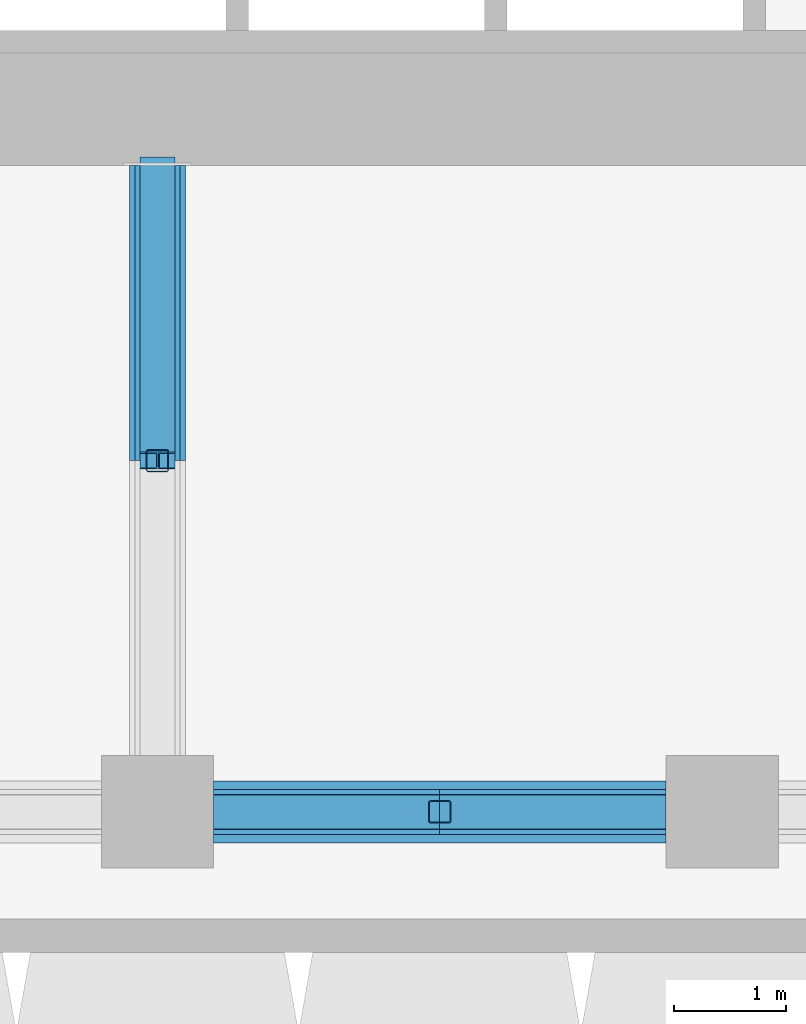
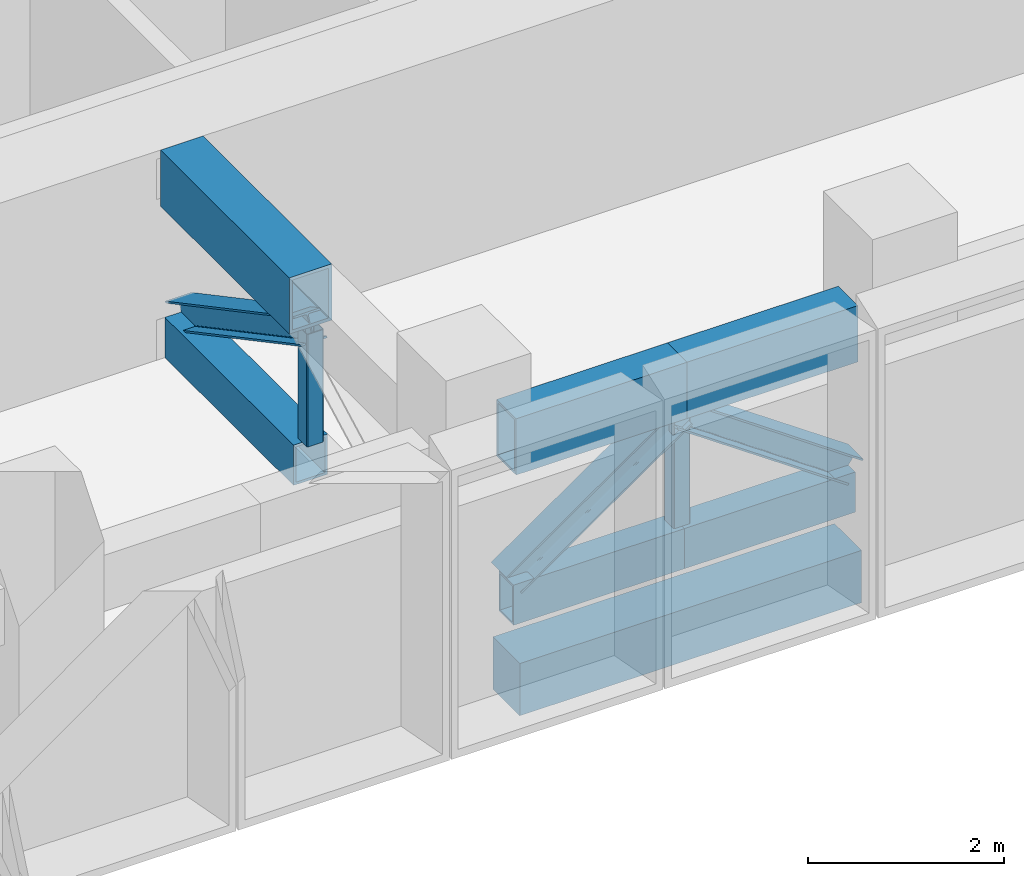
# One storey, part 3 of 23: 11 members, 1 beam.
"""IFC4 building model written with IfcOpenShell, lengths in metres."""

from ifc_helpers import new_model, si_unit, direction, frame, origin, origin_2d, place, context, subcontext, project, spatial, rectangle, hollow_rectangle, i_section, extrude, material, material_profile, profile_set, type_object, element, save


model = new_model("IFC4")

# Units and contexts
model_context = context("Model", 3, precision=1e-05, world=origin(), true_north=direction((0.0, 1.0)))
body_context = subcontext(model_context, "Body", "Model", "MODEL_VIEW")
ifc_project = project(units=[si_unit("LENGTHUNIT", "METRE"), si_unit("AREAUNIT", "SQUARE_METRE"), si_unit("VOLUMEUNIT", "CUBIC_METRE"), si_unit("PLANEANGLEUNIT", "RADIAN"), si_unit("MASSUNIT", "GRAM", prefix="KILO")], contexts=[model_context])

# Site, building, storey
site_placement = place(None, origin())
site = spatial("IfcSite", under=ifc_project, at=site_placement, CompositionType="ELEMENT")
building_placement = place(site_placement, origin())
building = spatial("IfcBuilding", under=site, at=building_placement, Name="Beryl Residences", CompositionType="ELEMENT")
storey_placement = place(building_placement, frame((0.0, 0.0, 108.0)))
storey = spatial("IfcBuildingStorey", under=building, at=storey_placement, Name="L33", CompositionType="ELEMENT", Elevation=108.0)

# Members
ifc_material_1 = material(Name="Steel S355", Category="steel")
ifc_material_profile_1 = material_profile(ifc_material_1, hollow_rectangle(XDim=0.300048828125, YDim=0.5, WallThickness=0.02490234375, at=origin_2d()))
ifc_profile_set_1 = profile_set([ifc_material_profile_1], Name="Steel S355")
member_type_1 = type_object("IfcMemberType", Name="BB2 belt truss bottom chord WB 500x300x25", PredefinedType="CHORD", material=ifc_profile_set_1)
member_1_placement = place(storey_placement, frame((-2.010986328125, -24.75, 0.25), z_axis=(1.0, 0.0, 0.0), x_axis=(0.0, 1.0, 0.0)))
element("IfcMember", 1, at=member_1_placement, inside=storey, type_object=member_type_1, Name="Outrigger truss BB2-S-2a L33", PredefinedType="CHORD", context=body_context, shape_type="SweptSolid", body=[
    extrude(hollow_rectangle(XDim=0.300048828125, YDim=0.5, WallThickness=0.02490234375, at=origin_2d()), origin(), (0.0, 0.0, 1.0), 2.010986328125),
])
member_2_placement = place(storey_placement, frame((0.0, -24.75, 0.25), z_axis=(1.0, 0.0, 0.0), x_axis=(0.0, 1.0, 0.0)))
element("IfcMember", 2, at=member_2_placement, inside=storey, type_object=member_type_1, Name="Outrigger truss BB2-S-2b L33", PredefinedType="CHORD", context=body_context, shape_type="SweptSolid", body=[
    extrude(hollow_rectangle(XDim=0.300048828125, YDim=0.5, WallThickness=0.02490234375, at=origin_2d()), origin(), (0.0, 0.0, 1.0), 2.011962890625),
])
ifc_material_2 = material(Name="Steel S355", Category="steel")
ifc_material_profile_2 = material_profile(ifc_material_2, i_section(OverallWidth=0.30908203125, OverallDepth=0.320068359375, WebThickness=0.013916015625, FlangeThickness=0.021728515625, FilletRadius=0.0166015625, at=origin_2d()))
ifc_profile_set_2 = profile_set([ifc_material_profile_2], Name="Steel S355")
member_type_2 = type_object("IfcMemberType", Name="BD2 belt truss diagonal 310UC137", PredefinedType="BRACE", material=ifc_profile_set_2)
member_3_placement = place(storey_placement, frame((-2.010986328125, -24.75, 0.5), z_axis=(0.820722383369, 0.0, 0.57132719998), x_axis=(0.0, 1.0, 0.0)))
element("IfcMember", 3, at=member_3_placement, inside=storey, type_object=member_type_2, Name="Outrigger truss BD2-S-2a L33", PredefinedType="BRACE", context=body_context, shape_type="SweptSolid", body=[
    extrude(i_section(OverallWidth=0.30908203125, OverallDepth=0.320068359375, WebThickness=0.013916015625, FlangeThickness=0.021728515625, FilletRadius=0.0166015625, at=origin_2d()), origin(), (0.0, 0.0, 1.0), 2.4501953125),
])
member_4_placement = place(storey_placement, frame((2.011962890625, -24.75, 0.5), z_axis=(-0.820852413484, 0.0, 0.571140363902), x_axis=(0.0, -1.0, 0.0)))
element("IfcMember", 4, at=member_4_placement, inside=storey, type_object=member_type_2, Name="Outrigger truss BD2-S-2b L33", PredefinedType="BRACE", context=body_context, shape_type="SweptSolid", body=[
    extrude(i_section(OverallWidth=0.30908203125, OverallDepth=0.320068359375, WebThickness=0.013916015625, FlangeThickness=0.021728515625, FilletRadius=0.0166015625, at=origin_2d()), origin(), (0.0, 0.0, 1.0), 2.451171875),
])
member_5_placement = place(storey_placement, frame((-2.510986328125, -19.0, 0.5), z_axis=(0.0, -0.882366571036, 0.470562678415), x_axis=(1.0, 0.0, 0.0)))
element("IfcMember", 5, at=member_5_placement, inside=storey, type_object=member_type_2, Name="Outrigger truss BD2-OR-S-2b L33", PredefinedType="BRACE", context=body_context, shape_type="SweptSolid", body=[
    extrude(i_section(OverallWidth=0.30908203125, OverallDepth=0.320068359375, WebThickness=0.013916015625, FlangeThickness=0.021728515625, FilletRadius=0.0166015625, at=origin_2d()), origin(), (0.0, 0.0, 1.0), 2.974853515625),
])
ifc_material_3 = material(Name="Steel S355", Category="steel")
ifc_material_profile_3 = material_profile(ifc_material_3, hollow_rectangle(XDim=0.199951171875, YDim=0.199951171875, WallThickness=0.009033203125, InnerFilletRadius=0.009033203125, OuterFilletRadius=0.01806640625, at=origin_2d()))
ifc_profile_set_3 = profile_set([ifc_material_profile_3], Name="Steel S355")
member_type_3 = type_object("IfcMemberType", Name="BQ2 belt truss post SHS 200x200x9", PredefinedType="POST", material=ifc_profile_set_3)
for number, where, z_axis, x_axis, name in (
    (6, (0.0, -24.75, 0.5), (0.0, 0.0, 1.0), (1.0, 0.0, 0.0), "Outrigger truss BQ2-S-2 L33"),
    (7, (-2.510986328125, -21.625, 0.5), (0.0, 0.0, 1.0), (1.0, 0.0, 0.0), "Outrigger truss BQ2-OR-S-2 L33"),
):
    element("IfcMember", number, at=place(storey_placement, frame(where, z_axis=z_axis, x_axis=x_axis)), inside=storey, type_object=member_type_3, Name=name, PredefinedType="POST", context=body_context, shape_type="SweptSolid", body=[
        extrude(hollow_rectangle(XDim=0.199951171875, YDim=0.199951171875, WallThickness=0.009033203125, InnerFilletRadius=0.009033203125, OuterFilletRadius=0.01806640625, at=origin_2d()), origin(), (0.0, 0.0, 1.0), 1.39990234375),
    ])
ifc_material_4 = material(Name="Steel S355", Category="steel")
ifc_material_profile_4 = material_profile(ifc_material_4, hollow_rectangle(XDim=0.39990234375, YDim=0.699951171875, WallThickness=0.030029296875, at=origin_2d()))
ifc_profile_set_4 = profile_set([ifc_material_profile_4], Name="Steel S355")
member_type_4 = type_object("IfcMemberType", Name="BT2 belt truss top chord WB 700x400x30", PredefinedType="CHORD", material=ifc_profile_set_4)
member_6_placement = place(storey_placement, frame((-2.010986328125, -24.75, 2.25), z_axis=(1.0, 0.0, 0.0), x_axis=(0.0, 1.0, 0.0)))
element("IfcMember", 8, at=member_6_placement, inside=storey, type_object=member_type_4, Name="Outrigger truss BT2-S-2a L33", PredefinedType="CHORD", context=body_context, shape_type="SweptSolid", body=[
    extrude(hollow_rectangle(XDim=0.39990234375, YDim=0.699951171875, WallThickness=0.030029296875, at=origin_2d()), origin(), (0.0, 0.0, 1.0), 2.010986328125),
])
member_7_placement = place(storey_placement, frame((0.0, -24.75, 2.25), z_axis=(1.0, 0.0, 0.0), x_axis=(0.0, 1.0, 0.0)))
element("IfcMember", 9, at=member_7_placement, inside=storey, type_object=member_type_4, Name="Outrigger truss BT2-S-2b L33", PredefinedType="CHORD", context=body_context, shape_type="SweptSolid", body=[
    extrude(hollow_rectangle(XDim=0.39990234375, YDim=0.699951171875, WallThickness=0.030029296875, at=origin_2d()), origin(), (0.0, 0.0, 1.0), 2.011962890625),
])
ifc_material_5 = material(Name="Steel S355", Category="steel")
ifc_material_profile_5 = material_profile(ifc_material_5, hollow_rectangle(XDim=0.39990234375, YDim=0.5, WallThickness=0.030029296875, at=origin_2d()))
ifc_profile_set_5 = profile_set([ifc_material_profile_5], Name="Steel S355")
member_type_5 = type_object("IfcMemberType", Name="OB1 outrigger truss bottom chord WB 500x400x30", PredefinedType="CHORD", material=ifc_profile_set_5)
member_8_placement = place(storey_placement, frame((-2.510986328125, -21.625, 0.25), z_axis=(0.0, 1.0, 0.0), x_axis=(-1.0, 0.0, 0.0)))
element("IfcMember", 10, at=member_8_placement, inside=storey, type_object=member_type_5, Name="Outrigger truss OB1-OR-S-2b L33", PredefinedType="CHORD", context=body_context, shape_type="SweptSolid", body=[
    extrude(hollow_rectangle(XDim=0.39990234375, YDim=0.5, WallThickness=0.030029296875, at=origin_2d()), origin(), (0.0, 0.0, 1.0), 2.625),
])
ifc_material_6 = material(Name="Steel S355", Category="steel")
ifc_material_profile_6 = material_profile(ifc_material_6, hollow_rectangle(XDim=0.5, YDim=0.699951171875, WallThickness=0.0400390625, at=origin_2d()))
ifc_profile_set_6 = profile_set([ifc_material_profile_6], Name="Steel S355")
member_type_6 = type_object("IfcMemberType", Name="OT1 outrigger truss top chord WB 700x500x40", PredefinedType="CHORD", material=ifc_profile_set_6)
member_9_placement = place(storey_placement, frame((-2.510986328125, -21.625, 2.25), z_axis=(0.0, 1.0, 0.0), x_axis=(-1.0, 0.0, 0.0)))
element("IfcMember", 11, at=member_9_placement, inside=storey, type_object=member_type_6, Name="Outrigger truss OT1-OR-S-2b L33", PredefinedType="CHORD", context=body_context, shape_type="SweptSolid", body=[
    extrude(hollow_rectangle(XDim=0.5, YDim=0.699951171875, WallThickness=0.0400390625, at=origin_2d()), origin(), (0.0, 0.0, 1.0), 2.625),
])

# Beam
ifc_material_7 = material(Name="Concrete C70/85", Category="concrete")
ifc_material_profile_7 = material_profile(ifc_material_7, rectangle(XDim=0.550048828125, YDim=0.64990234375, at=origin_2d()))
ifc_profile_set_7 = profile_set([ifc_material_profile_7], Name="Concrete C70/85")
beam_type = type_object("IfcBeamType", Name="SB2 spandrel beam 550 x 650 C70/85", PredefinedType="SPANDREL", material=ifc_profile_set_7)
beam_placement = place(storey_placement, frame((-2.010986328125, -24.75, -0.72509765625), z_axis=(1.0, 0.0, 0.0), x_axis=(0.0, 1.0, 0.0)))
element("IfcBeam", 12, at=beam_placement, inside=storey, type_object=beam_type, Name="SB2 L33 S-2", PredefinedType="SPANDREL", context=body_context, shape_type="SweptSolid", body=[
    extrude(rectangle(XDim=0.550048828125, YDim=0.64990234375, at=origin_2d()), origin(), (0.0, 0.0, 1.0), 4.02294921875),
])

save(model, "model.ifc")
